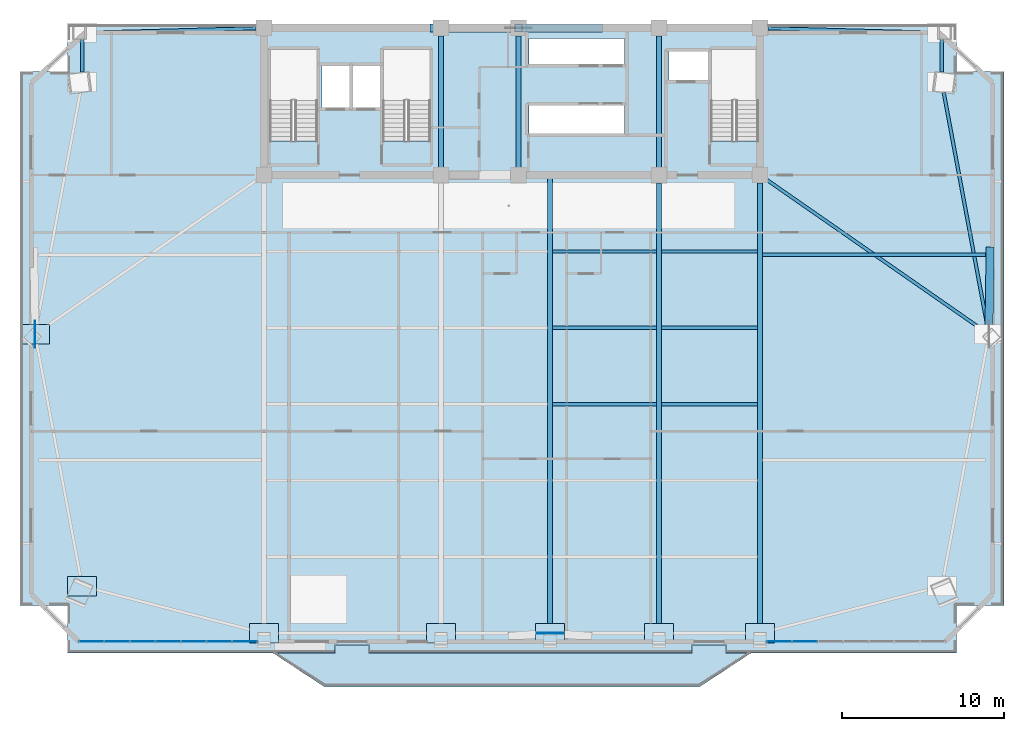
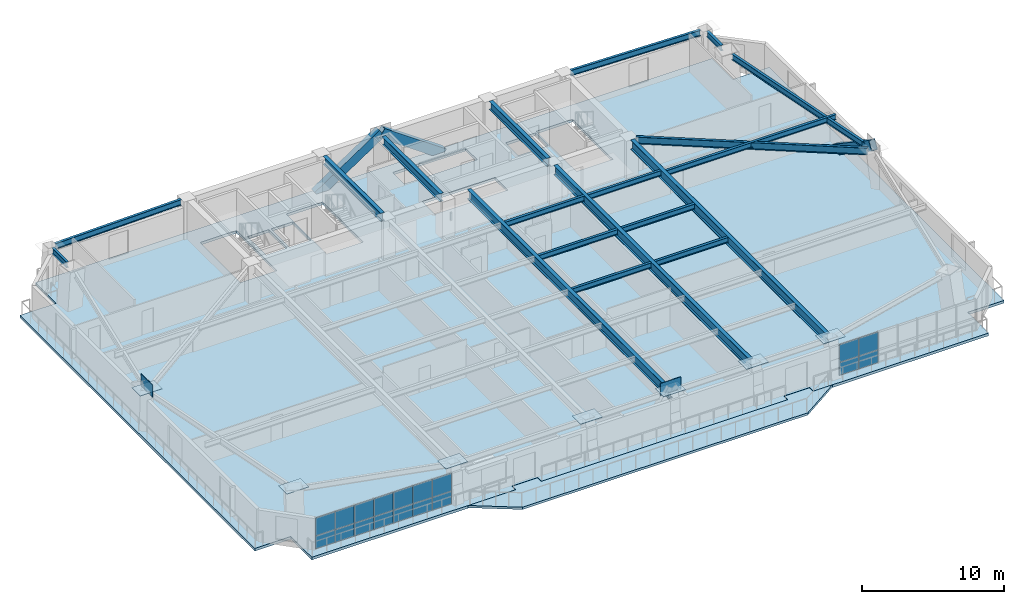
# One storey, part 6 of 15: 27 plates, 19 beams, 3 members, 2 slabs, 2 elements without a shape of their own.
"""IFC4 building model written with IfcOpenShell, lengths in metres."""

from ifc_helpers import new_model, si_unit, direction, frame, origin, origin_2d, place, context, subcontext, project, spatial, polyline, rectangle, hollow_rectangle, i_section, outline, extrude, source, transform, mapped, material, layer, layer_set, material_profile, profile_set, type_object, element, aggregate, save


model = new_model("IFC4")

# Units and contexts
model_context = context("Model", 3, precision=1e-05, world=origin(), true_north=direction((0.0, 1.0)))
body_context = subcontext(model_context, "Body", "Model", "MODEL_VIEW")
ifc_project = project(units=[si_unit("LENGTHUNIT", "METRE"), si_unit("AREAUNIT", "SQUARE_METRE"), si_unit("VOLUMEUNIT", "CUBIC_METRE"), si_unit("PLANEANGLEUNIT", "RADIAN"), si_unit("MASSUNIT", "GRAM", prefix="KILO")], contexts=[model_context])

# Site, building, storey
site_placement = place(None, origin())
site = spatial("IfcSite", under=ifc_project, at=site_placement, CompositionType="ELEMENT")
building_placement = place(site_placement, origin())
building = spatial("IfcBuilding", under=site, at=building_placement, Name="Giltprow Tower", CompositionType="ELEMENT")
storey_placement = place(building_placement, frame((0.0, 0.0, 156.199951171875)))
storey = spatial("IfcBuildingStorey", under=building, at=storey_placement, Name="L38", CompositionType="ELEMENT", Elevation=156.199951171875)

# Beams
ifc_material_1 = material(Name="Structural steel Q355B", Category="steel")
ifc_material_profile_1 = material_profile(ifc_material_1, i_section(OverallWidth=0.199951171875, OverallDepth=0.449951171875, WebThickness=0.009033203125, FlangeThickness=0.013916015625, at=origin_2d()), Name="HN 450x200x9x14")
ifc_profile_set_1 = profile_set([ifc_material_profile_1], Name="Structural steel Q355B")
beam_type_1 = type_object("IfcBeamType", Name="BM-JOIST-HN450", PredefinedType="JOIST", material=ifc_profile_set_1)
shared_shape_1 = source(origin(), body_context, "Body", "SweptSolid", [
    extrude(i_section(OverallWidth=0.199951171875, OverallDepth=0.449951171875, WebThickness=0.009033203125, FlangeThickness=0.013916015625, at=origin_2d()), origin(), (0.0, 0.0, 1.0), 6.4599609375),
])
for number, where, z_axis, x_axis, name in (
    (1, (37.695068359375, 23.27392578125, 3.045166015625), (1.0, 0.0, 0.0), (0.0, 1.0, 0.0), "L38 Composite Floor Joist 3-3"),
    (2, (37.695068359375, 27.9990234375, 3.045166015625), (1.0, 0.0, 0.0), (0.0, 1.0, 0.0), "L38 Composite Floor Joist 4-3"),
    (3, (37.695068359375, 32.72509765625, 3.045166015625), (1.0, 0.0, 0.0), (0.0, 1.0, 0.0), "L38 Composite Floor Joist 5-3"),
):
    element("IfcBeam", number, at=place(storey_placement, frame(where, z_axis=z_axis, x_axis=x_axis)), inside=storey, type_object=beam_type_1, Name=name, PredefinedType="JOIST", context=body_context, shape_type="MappedRepresentation", body=[
        mapped(shared_shape_1, transform((0.0, 0.0, 0.0), x_axis=(1.0, 0.0, 0.0), y_axis=(0.0, 1.0, 0.0), z_axis=(0.0, 0.0, 1.0), scale=1.0)),
    ])
shared_shape_2 = source(origin(), body_context, "Body", "SweptSolid", [
    extrude(i_section(OverallWidth=0.199951171875, OverallDepth=0.449951171875, WebThickness=0.009033203125, FlangeThickness=0.013916015625, at=origin_2d()), origin(), (0.0, 0.0, 1.0), 5.9599609375),
])
for number, where, z_axis, x_axis, name in (
    (4, (44.445068359375, 23.27392578125, 3.045166015625), (1.0, 0.0, 0.0), (0.0, 1.0, 0.0), "L38 Composite Floor Joist 3-4"),
    (5, (44.445068359375, 27.9990234375, 3.045166015625), (1.0, 0.0, 0.0), (0.0, 1.0, 0.0), "L38 Composite Floor Joist 4-4"),
    (6, (44.445068359375, 32.72509765625, 3.045166015625), (1.0, 0.0, 0.0), (0.0, 1.0, 0.0), "L38 Composite Floor Joist 5-4"),
):
    element("IfcBeam", number, at=place(storey_placement, frame(where, z_axis=z_axis, x_axis=x_axis)), inside=storey, type_object=beam_type_1, Name=name, PredefinedType="JOIST", context=body_context, shape_type="MappedRepresentation", body=[
        mapped(shared_shape_2, transform((0.0, 0.0, 0.0), x_axis=(1.0, 0.0, 0.0), y_axis=(0.0, 1.0, 0.0), z_axis=(0.0, 0.0, 1.0), scale=1.0)),
    ])
ifc_material_profile_2 = material_profile(ifc_material_1, i_section(OverallWidth=0.300048828125, OverallDepth=0.699951171875, WebThickness=0.012939453125, FlangeThickness=0.02392578125, at=origin_2d()), Name="HN 700x300x13x24")
ifc_profile_set_2 = profile_set([ifc_material_profile_2], Name="Structural steel Q355B")
beam_type_2 = type_object("IfcBeamType", Name="BM-GIRD-HN700", PredefinedType="BEAM", material=ifc_profile_set_2)
shared_shape_3 = source(origin(), body_context, "Body", "SweptSolid", [
    extrude(i_section(OverallWidth=0.300048828125, OverallDepth=0.699951171875, WebThickness=0.012939453125, FlangeThickness=0.02392578125, at=origin_2d()), origin(), (0.0, 0.0, 1.0), 8.1298828125),
])
for number, where, z_axis, x_axis, name in (
    (7, (30.800048828125, 37.93505859375, 2.920166015625), (0.0, 1.0, 0.0), (-1.0, 0.0, 0.0), "L38 Core Tie Girder M1"),
    (8, (35.60009765625, 37.93505859375, 2.920166015625), (0.0, 1.0, 0.0), (-1.0, 0.0, 0.0), "L38 Core Tie Girder M2"),
    (9, (44.300048828125, 37.93505859375, 2.920166015625), (0.0, 1.0, 0.0), (-1.0, 0.0, 0.0), "L38 Core Tie Girder M3"),
):
    element("IfcBeam", number, at=place(storey_placement, frame(where, z_axis=z_axis, x_axis=x_axis)), inside=storey, type_object=beam_type_2, Name=name, PredefinedType="BEAM", context=body_context, shape_type="MappedRepresentation", body=[
        mapped(shared_shape_3, transform((0.0, 0.0, 0.0), x_axis=(1.0, 0.0, 0.0), y_axis=(0.0, 1.0, 0.0), z_axis=(0.0, 0.0, 1.0), scale=1.0)),
    ])
ifc_material_profile_3 = material_profile(ifc_material_1, i_section(OverallWidth=0.199951171875, OverallDepth=0.5, WebThickness=0.010009765625, FlangeThickness=0.01611328125, at=origin_2d()), Name="HN 500x200x10x16")
ifc_profile_set_3 = profile_set([ifc_material_profile_3], Name="Structural steel Q355B")
beam_type_3 = type_object("IfcBeamType", Name="BM-SPAN-HN500", PredefinedType="SPANDREL", material=ifc_profile_set_3)
shared_shape_4 = source(origin(), body_context, "Body", "SweptSolid", [
    extrude(i_section(OverallWidth=0.199951171875, OverallDepth=0.5, WebThickness=0.010009765625, FlangeThickness=0.01611328125, at=origin_2d()), origin(), (0.0, 0.0, 1.0), 14.83837890625),
])
beam_1_placement = place(storey_placement, frame((64.64501953125, 27.97705078125, 3.02001953125), z_axis=(-0.183652712761, 0.982991190752, 0.0), x_axis=(-0.982991190752, -0.183652712761, 0.0)))
element("IfcBeam", 10, at=beam_1_placement, inside=storey, type_object=beam_type_3, Name="L38 Perimeter Spandrel Beam E_MID-MC_NE", PredefinedType="SPANDREL", context=body_context, shape_type="MappedRepresentation", body=[
    mapped(shared_shape_4, transform((0.0, 0.0, 0.0), x_axis=(1.0, 0.0, 0.0), y_axis=(0.0, 1.0, 0.0), z_axis=(0.0, 0.0, 1.0), scale=1.0)),
])
shared_shape_5 = source(origin(), body_context, "Body", "SweptSolid", [
    extrude(i_section(OverallWidth=0.199951171875, OverallDepth=0.5, WebThickness=0.010009765625, FlangeThickness=0.01611328125, at=origin_2d()), origin(), (0.0, 0.0, 1.0), 2.04296875),
])
for number, where, z_axis, x_axis, name in (
    (11, (61.802978515625, 43.822021484375, 3.02001953125), (0.0, 1.0, 0.0), (-1.0, 0.0, 0.0), "L38 Perimeter Spandrel Beam MC_NE-N_E"),
    (12, (8.596923828125, 45.864990234375, 3.02001953125), (0.0, -1.0, 0.0), (1.0, 0.0, 0.0), "L38 Perimeter Spandrel Beam N_W-MC_NW"),
):
    element("IfcBeam", number, at=place(storey_placement, frame(where, z_axis=z_axis, x_axis=x_axis)), inside=storey, type_object=beam_type_3, Name=name, PredefinedType="SPANDREL", context=body_context, shape_type="MappedRepresentation", body=[
        mapped(shared_shape_5, transform((0.0, 0.0, 0.0), x_axis=(1.0, 0.0, 0.0), y_axis=(0.0, 1.0, 0.0), z_axis=(0.0, 0.0, 1.0), scale=1.0)),
    ])
shared_shape_6 = source(origin(), body_context, "Body", "SweptSolid", [
    extrude(i_section(OverallWidth=0.199951171875, OverallDepth=0.5, WebThickness=0.010009765625, FlangeThickness=0.01611328125, at=origin_2d()), origin(), (0.0, 0.0, 1.0), 10.38671875),
])
for number, where, z_axis, x_axis, name in (
    (13, (8.98193359375, 46.260009765625, 3.02001953125), (0.999644074198, 0.02667817311, 0.0), (-0.02667817311, 0.999644074198, 0.0), "L38 North Wing Spandrel W"),
    (14, (51.034912109375, 46.537109375, 3.02001953125), (0.999644074198, -0.02667817311, 0.0), (0.02667817311, 0.999644074198, 0.0), "L38 North Wing Spandrel E"),
):
    element("IfcBeam", number, at=place(storey_placement, frame(where, z_axis=z_axis, x_axis=x_axis)), inside=storey, type_object=beam_type_3, Name=name, PredefinedType="SPANDREL", context=body_context, shape_type="MappedRepresentation", body=[
        mapped(shared_shape_6, transform((0.0, 0.0, 0.0), x_axis=(1.0, 0.0, 0.0), y_axis=(0.0, 1.0, 0.0), z_axis=(0.0, 0.0, 1.0), scale=1.0)),
    ])
ifc_material_profile_4 = material_profile(ifc_material_1, i_section(OverallWidth=0.300048828125, OverallDepth=0.800048828125, WebThickness=0.013916015625, FlangeThickness=0.02587890625, at=origin_2d()), Name="HN 800x300x14x26")
ifc_profile_set_4 = profile_set([ifc_material_profile_4], Name="Structural steel Q355B")
beam_type_4 = type_object("IfcBeamType", Name="BM-GIRD-HN800", PredefinedType="BEAM", material=ifc_profile_set_4)
shared_shape_7 = source(origin(), body_context, "Body", "SweptSolid", [
    extrude(i_section(OverallWidth=0.300048828125, OverallDepth=0.800048828125, WebThickness=0.013916015625, FlangeThickness=0.02587890625, at=origin_2d()), origin(), (0.0, 0.0, 1.0), 27.482177734375),
])
for number, where, z_axis, x_axis, name in (
    (15, (44.300048828125, 9.48291015625, 2.8701171875), (0.0, 1.0, 0.0), (-1.0, 0.0, 0.0), "L38 Primary Lease Girder S3"),
    (16, (50.550048828125, 9.48291015625, 2.8701171875), (0.0, 1.0, 0.0), (-1.0, 0.0, 0.0), "L38 Primary Lease Girder S4"),
):
    element("IfcBeam", number, at=place(storey_placement, frame(where, z_axis=z_axis, x_axis=x_axis)), inside=storey, type_object=beam_type_4, Name=name, PredefinedType="BEAM", context=body_context, shape_type="MappedRepresentation", body=[
        mapped(shared_shape_7, transform((0.0, 0.0, 0.0), x_axis=(1.0, 0.0, 0.0), y_axis=(0.0, 1.0, 0.0), z_axis=(0.0, 0.0, 1.0), scale=1.0)),
    ])
shared_shape_8 = source(origin(), body_context, "Body", "SweptSolid", [
    extrude(i_section(OverallWidth=0.300048828125, OverallDepth=0.800048828125, WebThickness=0.013916015625, FlangeThickness=0.02587890625, at=origin_2d()), origin(), (0.0, 0.0, 1.0), 28.35205078125),
])
beam_2_placement = place(storey_placement, frame((37.550048828125, 9.097900390625, 2.8701171875), z_axis=(0.0, 1.0, 0.0), x_axis=(-1.0, 0.0, 0.0)))
element("IfcBeam", 17, at=beam_2_placement, inside=storey, type_object=beam_type_4, Name="L38 Central Lease Girder SMID", PredefinedType="BEAM", context=body_context, shape_type="MappedRepresentation", body=[
    mapped(shared_shape_8, transform((0.0, 0.0, 0.0), x_axis=(1.0, 0.0, 0.0), y_axis=(0.0, 1.0, 0.0), z_axis=(0.0, 0.0, 1.0), scale=1.0)),
])
ifc_material_profile_5 = material_profile(ifc_material_1, i_section(OverallWidth=0.199951171875, OverallDepth=0.60009765625, WebThickness=0.010986328125, FlangeThickness=0.01708984375, at=origin_2d()), Name="HN 600x200x11x17")
ifc_profile_set_5 = profile_set([ifc_material_profile_5], Name="Structural steel Q355B")
beam_type_5 = type_object("IfcBeamType", Name="BM-GIRD-HN600", PredefinedType="BEAM", material=ifc_profile_set_5)
shared_shape_9 = source(origin(), body_context, "Body", "SweptSolid", [
    extrude(i_section(OverallWidth=0.199951171875, OverallDepth=0.60009765625, WebThickness=0.010986328125, FlangeThickness=0.01708984375, at=origin_2d()), origin(), (0.0, 0.0, 1.0), 16.384521484375),
])
beam_3_placement = place(storey_placement, frame((64.39990234375, 27.819091796875, 2.969970703125), z_axis=(-0.821015129257, 0.570906435005, 0.0), x_axis=(-0.570906435005, -0.821015129257, 0.0)))
element("IfcBeam", 18, at=beam_3_placement, inside=storey, type_object=beam_type_5, Name="L38 East Wing Primary Girder", PredefinedType="BEAM", context=body_context, shape_type="MappedRepresentation", body=[
    mapped(shared_shape_9, transform((0.0, 0.0, 0.0), x_axis=(1.0, 0.0, 0.0), y_axis=(0.0, 1.0, 0.0), z_axis=(0.0, 0.0, 1.0), scale=1.0)),
])
shared_shape_10 = source(origin(), body_context, "Body", "SweptSolid", [
    extrude(i_section(OverallWidth=0.199951171875, OverallDepth=0.449951171875, WebThickness=0.009033203125, FlangeThickness=0.013916015625, at=origin_2d()), origin(), (0.0, 0.0, 1.0), 13.801025390625),
])
beam_4_placement = place(storey_placement, frame((50.695068359375, 32.52490234375, 3.045166015625), z_axis=(1.0, 0.0, 0.0), x_axis=(0.0, 1.0, 0.0)))
element("IfcBeam", 19, at=beam_4_placement, inside=storey, type_object=beam_type_1, Name="L38 East Wing Floor Joist 2", PredefinedType="JOIST", context=body_context, shape_type="MappedRepresentation", body=[
    mapped(shared_shape_10, transform((0.0, 0.0, 0.0), x_axis=(1.0, 0.0, 0.0), y_axis=(0.0, 1.0, 0.0), z_axis=(0.0, 0.0, 1.0), scale=1.0)),
])

# Members
ifc_material_2 = material(Name="Structural steel Q420GJC", Category="steel")
ifc_material_profile_6 = material_profile(ifc_material_2, hollow_rectangle(XDim=0.5, YDim=0.800048828125, WallThickness=0.035888671875, at=origin_2d()), Name="RHS 800x500x36")
ifc_profile_set_6 = profile_set([ifc_material_profile_6], Name="Structural steel Q420GJC")
member_type = type_object("IfcMemberType", Name="MBR-MEGA-RHS800", PredefinedType="BRACE", material=ifc_profile_set_6)
shared_shape_11 = source(origin(), body_context, "Body", "SweptSolid", [
    extrude(hollow_rectangle(XDim=0.5, YDim=0.800048828125, WallThickness=0.035888671875, at=origin_2d()), origin(), (0.0, 0.0, 1.0), 6.309814453125),
])
member_1_placement = place(storey_placement, frame((30.35009765625, 46.550048828125, -0.139892578125), z_axis=(0.832050294338, 0.0, 0.554700196225), x_axis=(0.0, 1.0, 0.0)))
element("IfcMember", 20, at=member_1_placement, inside=storey, type_object=member_type, Name="L38 Chevron Mega-Brace N-L", PredefinedType="BRACE", context=body_context, shape_type="MappedRepresentation", body=[
    mapped(shared_shape_11, transform((0.0, 0.0, 0.0), x_axis=(1.0, 0.0, 0.0), y_axis=(0.0, 1.0, 0.0), z_axis=(0.0, 0.0, 1.0), scale=1.0)),
])
shared_shape_12 = source(origin(), body_context, "Body", "SweptSolid", [
    extrude(hollow_rectangle(XDim=0.5, YDim=0.800048828125, WallThickness=0.035888671875, at=origin_2d()), origin(), (0.0, 0.0, 1.0), 6.257568359375),
])
member_2_placement = place(storey_placement, frame((64.7939453125, 32.785888671875, 0.0), z_axis=(-0.012445634065, -0.828863622943, 0.559312256932), x_axis=(0.999887289476, -0.015013605335, 0.0)))
element("IfcMember", 21, at=member_2_placement, inside=storey, type_object=member_type, Name="L38 Chevron Mega-Brace E-R", PredefinedType="BRACE", context=body_context, shape_type="MappedRepresentation", body=[
    mapped(shared_shape_12, transform((0.0, 0.0, 0.0), x_axis=(1.0, 0.0, 0.0), y_axis=(0.0, 1.0, 0.0), z_axis=(0.0, 0.0, 1.0), scale=1.0)),
])
shared_shape_13 = source(origin(), body_context, "Body", "SweptSolid", [
    extrude(hollow_rectangle(XDim=0.5, YDim=0.800048828125, WallThickness=0.035888671875, at=origin_2d()), origin(), (0.0, 0.0, 1.0), 6.08935546875),
])
member_3_placement = place(storey_placement, frame((40.5830078125, 46.550048828125, -0.139892578125), z_axis=(-0.818307902219, 0.0, 0.574780112014), x_axis=(0.0, -1.0, 0.0)))
element("IfcMember", 22, at=member_3_placement, inside=storey, type_object=member_type, Name="L38 Chevron Mega-Brace N-R", PredefinedType="BRACE", context=body_context, shape_type="MappedRepresentation", body=[
    mapped(shared_shape_13, transform((0.0, 0.0, 0.0), x_axis=(1.0, 0.0, 0.0), y_axis=(0.0, 1.0, 0.0), z_axis=(0.0, 0.0, 1.0), scale=1.0)),
])

# Slabs
ifc_material_3 = material(Name="Concrete C40", Category="concrete")
ifc_layer_1 = layer(ifc_material_3, 0.199951171875, Name="Concrete C40")
ifc_layer_set_1 = layer_set([ifc_layer_1], Name="Concrete C40")
slab_type_1 = type_object("IfcSlabType", Name="SLB-BALC-BRONZE-200", PredefinedType="FLOOR", material=ifc_layer_set_1)
slab_1_placement = place(storey_placement, frame((0.0, 0.0, -0.199951171875)))
element("IfcSlab", 23, at=slab_1_placement, inside=storey, type_object=slab_type_1, Name="L38 Bronze Prow Waterfront Balcony Slab", PredefinedType="FLOOR", context=body_context, shape_type="SweptSolid", body=[
    extrude(outline(polyline([(50.0, 7.8720703125), (46.800048828125, 5.77197265625), (23.60009765625, 5.77197265625), (20.39990234375, 7.8720703125), (24.280029296875, 7.8720703125), (24.280029296875, 8.3720703125), (26.320068359375, 8.3720703125), (26.320068359375, 7.8720703125), (46.3798828125, 7.8720703125), (46.3798828125, 8.3720703125), (48.419921875, 8.3720703125), (48.419921875, 7.8720703125), (50.0, 7.8720703125)])), origin(), (0.0, 0.0, 1.0), 0.199951171875),
])
ifc_layer_2 = layer(ifc_material_3, 0.22998046875, Name="Concrete C40")
ifc_layer_set_2 = layer_set([ifc_layer_2], Name="Concrete C40")
slab_type_2 = type_object("IfcSlabType", Name="SLB-HTL-230", PredefinedType="FLOOR", material=ifc_layer_set_2)
slab_2_placement = place(storey_placement, frame((0.0, 0.0, -0.22998046875)))
element("IfcSlab", 24, at=slab_2_placement, inside=storey, type_object=slab_type_2, Name="L38 Structural Composite Floor Slab", PredefinedType="FLOOR", context=body_context, shape_type="SweptSolid", body=[
    extrude(outline(polyline([(7.68798828125, 7.8720703125), (7.68798828125, 10.81103515625), (4.7490234375, 10.81103515625), (4.7490234375, 43.861083984375), (7.68798828125, 43.861083984375), (7.68798828125, 46.800048828125), (62.7119140625, 46.800048828125), (62.7119140625, 43.861083984375), (65.65087890625, 43.861083984375), (65.65087890625, 10.81103515625), (62.7119140625, 10.81103515625), (62.7119140625, 7.8720703125), (48.449951171875, 7.8720703125), (48.449951171875, 8.39208984375), (46.35009765625, 8.39208984375), (46.35009765625, 7.8720703125), (26.35009765625, 7.8720703125), (26.35009765625, 8.39208984375), (24.25, 8.39208984375), (24.25, 7.8720703125), (7.68798828125, 7.8720703125)]), holes=[polyline([(42.169921875, 41.800048828125), (36.239990234375, 41.800048828125), (36.239990234375, 40.0), (42.169921875, 40.0), (42.169921875, 41.800048828125)]), polyline([(23.159912109375, 39.570068359375), (23.159912109375, 45.25), (20.199951171875, 45.25), (20.199951171875, 39.570068359375), (23.159912109375, 39.570068359375)]), polyline([(30.159912109375, 39.570068359375), (30.159912109375, 45.25), (27.199951171875, 45.25), (27.199951171875, 39.570068359375), (30.159912109375, 39.570068359375)]), polyline([(50.4599609375, 45.25), (47.5, 45.25), (47.5, 39.570068359375), (50.4599609375, 39.570068359375), (50.4599609375, 45.25)]), polyline([(25.169921875, 44.199951171875), (23.449951171875, 44.199951171875), (23.449951171875, 41.60009765625), (25.169921875, 41.60009765625), (25.169921875, 44.199951171875)]), polyline([(27.10009765625, 44.199951171875), (25.35009765625, 44.199951171875), (25.35009765625, 41.60009765625), (27.10009765625, 41.60009765625), (27.10009765625, 44.199951171875)]), polyline([(47.3798828125, 43.300048828125), (47.3798828125, 45.10009765625), (44.919921875, 45.10009765625), (44.919921875, 43.300048828125), (47.3798828125, 43.300048828125)]), polyline([(42.169921875, 44.300048828125), (42.169921875, 45.919921875), (36.239990234375, 45.919921875), (36.239990234375, 44.300048828125), (42.169921875, 44.300048828125)])]), origin(), (0.0, 0.0, 1.0), 0.22998046875),
])

# Plates
plate_type_1 = type_object("IfcPlateType", Name="PLT-NODE-CKN1", PredefinedType="USERDEFINED", material=ifc_material_2)
shared_shape_14 = source(origin(), body_context, "Body", "SweptSolid", [
    extrude(rectangle(XDim=1.800048828125, YDim=1.199951171875, at=origin_2d()), origin(), (0.0, 0.0, 1.0), 0.044921875),
])
for number, where, z_axis, x_axis, name in (
    (25, (8.596923828125, 12.010986328125, 3.2275390625), (0.0, 0.0, 1.0), (1.0, 0.0, 0.0), "CKN1 Column Taper Splice Node L38-MC_SW"),
    (26, (19.85009765625, 9.097900390625, 3.2275390625), (0.0, 0.0, 1.0), (1.0, 0.0, 0.0), "CKN1 Column Taper Splice Node L38-S1"),
    (27, (30.800048828125, 9.097900390625, 3.2275390625), (0.0, 0.0, 1.0), (1.0, 0.0, 0.0), "CKN1 Column Taper Splice Node L38-S2"),
    (28, (37.550048828125, 9.097900390625, 3.2275390625), (0.0, 0.0, 1.0), (1.0, 0.0, 0.0), "CKN1 Column Taper Splice Node L38-S_MID"),
    (29, (44.300048828125, 9.097900390625, 3.2275390625), (0.0, 0.0, 1.0), (1.0, 0.0, 0.0), "CKN1 Column Taper Splice Node L38-S3"),
    (30, (50.550048828125, 9.097900390625, 3.2275390625), (0.0, 0.0, 1.0), (1.0, 0.0, 0.0), "CKN1 Column Taper Splice Node L38-S4"),
    (31, (5.68408203125, 27.59912109375, 3.2275390625), (0.0, 0.0, 1.0), (1.0, 0.0, 0.0), "CKN1 Column Taper Splice Node L38-W_MID"),
):
    element("IfcPlate", number, at=place(storey_placement, frame(where, z_axis=z_axis, x_axis=x_axis)), inside=storey, type_object=plate_type_1, Name=name, ObjectType="SPLICE", PredefinedType="USERDEFINED", context=body_context, shape_type="MappedRepresentation", body=[
        mapped(shared_shape_14, transform((0.0, 0.0, 0.0), x_axis=(1.0, 0.0, 0.0), y_axis=(0.0, 1.0, 0.0), z_axis=(0.0, 0.0, 1.0), scale=1.0)),
    ])
plate_type_2 = type_object("IfcPlateType", Name="PLT-NODE-MBN2", PredefinedType="USERDEFINED", material=ifc_material_2)
shared_shape_15 = source(origin(), body_context, "Body", "SweptSolid", [
    extrude(rectangle(XDim=1.64990234375, YDim=0.044921875, at=origin_2d()), origin(), (0.0, 0.0, 1.0), 1.050048828125),
])
for number, where, z_axis, x_axis, name in (
    (32, (37.550048828125, 9.097900390625, 2.97509765625), (0.0, 0.0, 1.0), (1.0, 0.0, 0.0), "Mega-Brace Node L38-S-LB"),
    (33, (5.68408203125, 27.59912109375, 2.97509765625), (0.0, 0.0, 1.0), (0.0, 1.0, 0.0), "Mega-Brace Node L38-W-RB"),
):
    element("IfcPlate", number, at=place(storey_placement, frame(where, z_axis=z_axis, x_axis=x_axis)), inside=storey, type_object=plate_type_2, Name=name, ObjectType="GUSSET", PredefinedType="USERDEFINED", context=body_context, shape_type="MappedRepresentation", body=[
        mapped(shared_shape_15, transform((0.0, 0.0, 0.0), x_axis=(1.0, 0.0, 0.0), y_axis=(0.0, 1.0, 0.0), z_axis=(0.0, 0.0, 1.0), scale=1.0)),
    ])

# Curtain wall, plates
ifc_material_4 = material(Name="Anodized bronze", Category="metal")
ifc_layer_3 = layer(ifc_material_4, 0.179931640625, Name="Anodized bronze")
ifc_layer_set_3 = layer_set([ifc_layer_3], Name="Anodized bronze")
curtain_wall_type = type_object("IfcCurtainWallType", Name="CW-HTL-BRONZE", PredefinedType="NOTDEFINED", material=ifc_layer_set_3)
curtain_wall_1_placement = place(storey_placement, origin())
curtain_wall_1 = element("IfcCurtainWall", 34, at=curtain_wall_1_placement, inside=storey, type_object=curtain_wall_type, Name="L38 South Recessed Curtain Wall 1", PredefinedType="NOTDEFINED")
ifc_material_5 = material(Name="Insulated glass", Category="glass")
plate_type_3 = type_object("IfcPlateType", Name="CW-PANEL-IGU-28", PredefinedType="CURTAIN_PANEL", material=ifc_material_5)
shared_shape_16 = source(origin(), body_context, "Body", "SweptSolid", [
    extrude(rectangle(XDim=1.550048828125, YDim=0.028076171875, at=origin_2d()), origin(), (0.0, 0.0, 1.0), 1.0869140625),
])
plate_1_placement = place(storey_placement, frame((9.177978515625, 8.572021484375, 0.0546875), z_axis=(0.0, 0.0, 1.0), x_axis=(1.0, 0.0, 0.0)))
plate_1 = element("IfcPlate", 35, at=plate_1_placement, type_object=plate_type_3, Name="L38 South Recessed Curtain Wall 1 Glazing Panel 1-1", PredefinedType="CURTAIN_PANEL", context=body_context, shape_type="MappedRepresentation", body=[
    mapped(shared_shape_16, transform((0.0, 0.0, 0.0), x_axis=(1.0, 0.0, 0.0), y_axis=(0.0, 1.0, 0.0), z_axis=(0.0, 0.0, 1.0), scale=1.0)),
])
plate_2_placement = place(storey_placement, frame((10.758056640625, 8.572021484375, 0.0546875), z_axis=(0.0, 0.0, 1.0), x_axis=(1.0, 0.0, 0.0)))
plate_2 = element("IfcPlate", 36, at=plate_2_placement, type_object=plate_type_3, Name="L38 South Recessed Curtain Wall 1 Glazing Panel 2-1", PredefinedType="CURTAIN_PANEL", context=body_context, shape_type="MappedRepresentation", body=[
    mapped(shared_shape_16, transform((0.0, 0.0, 0.0), x_axis=(1.0, 0.0, 0.0), y_axis=(0.0, 1.0, 0.0), z_axis=(0.0, 0.0, 1.0), scale=1.0)),
])
plate_3_placement = place(storey_placement, frame((12.339111328125, 8.572021484375, 0.0546875), z_axis=(0.0, 0.0, 1.0), x_axis=(1.0, 0.0, 0.0)))
plate_3 = element("IfcPlate", 37, at=plate_3_placement, type_object=plate_type_3, Name="L38 South Recessed Curtain Wall 1 Glazing Panel 3-1", PredefinedType="CURTAIN_PANEL", context=body_context, shape_type="MappedRepresentation", body=[
    mapped(shared_shape_16, transform((0.0, 0.0, 0.0), x_axis=(1.0, 0.0, 0.0), y_axis=(0.0, 1.0, 0.0), z_axis=(0.0, 0.0, 1.0), scale=1.0)),
])
plate_4_placement = place(storey_placement, frame((13.9189453125, 8.572021484375, 0.0546875), z_axis=(0.0, 0.0, 1.0), x_axis=(1.0, 0.0, 0.0)))
plate_4 = element("IfcPlate", 38, at=plate_4_placement, type_object=plate_type_3, Name="L38 South Recessed Curtain Wall 1 Glazing Panel 4-1", PredefinedType="CURTAIN_PANEL", context=body_context, shape_type="MappedRepresentation", body=[
    mapped(shared_shape_16, transform((0.0, 0.0, 0.0), x_axis=(1.0, 0.0, 0.0), y_axis=(0.0, 1.0, 0.0), z_axis=(0.0, 0.0, 1.0), scale=1.0)),
])
plate_5_placement = place(storey_placement, frame((15.4990234375, 8.572021484375, 0.0546875), z_axis=(0.0, 0.0, 1.0), x_axis=(1.0, 0.0, 0.0)))
plate_5 = element("IfcPlate", 39, at=plate_5_placement, type_object=plate_type_3, Name="L38 South Recessed Curtain Wall 1 Glazing Panel 5-1", PredefinedType="CURTAIN_PANEL", context=body_context, shape_type="MappedRepresentation", body=[
    mapped(shared_shape_16, transform((0.0, 0.0, 0.0), x_axis=(1.0, 0.0, 0.0), y_axis=(0.0, 1.0, 0.0), z_axis=(0.0, 0.0, 1.0), scale=1.0)),
])
plate_6_placement = place(storey_placement, frame((17.080078125, 8.572021484375, 0.0546875), z_axis=(0.0, 0.0, 1.0), x_axis=(1.0, 0.0, 0.0)))
plate_6 = element("IfcPlate", 40, at=plate_6_placement, type_object=plate_type_3, Name="L38 South Recessed Curtain Wall 1 Glazing Panel 6-1", PredefinedType="CURTAIN_PANEL", context=body_context, shape_type="MappedRepresentation", body=[
    mapped(shared_shape_16, transform((0.0, 0.0, 0.0), x_axis=(1.0, 0.0, 0.0), y_axis=(0.0, 1.0, 0.0), z_axis=(0.0, 0.0, 1.0), scale=1.0)),
])
plate_7_placement = place(storey_placement, frame((18.659912109375, 8.572021484375, 0.0546875), z_axis=(0.0, 0.0, 1.0), x_axis=(1.0, 0.0, 0.0)))
plate_7 = element("IfcPlate", 41, at=plate_7_placement, type_object=plate_type_3, Name="L38 South Recessed Curtain Wall 1 Glazing Panel 7-1", PredefinedType="CURTAIN_PANEL", context=body_context, shape_type="MappedRepresentation", body=[
    mapped(shared_shape_16, transform((0.0, 0.0, 0.0), x_axis=(1.0, 0.0, 0.0), y_axis=(0.0, 1.0, 0.0), z_axis=(0.0, 0.0, 1.0), scale=1.0)),
])

curtain_wall_2_placement = place(storey_placement, origin())
curtain_wall_2 = element("IfcCurtainWall", 42, at=curtain_wall_2_placement, inside=storey, type_object=curtain_wall_type, Name="L38 South Recessed Curtain Wall 6", PredefinedType="NOTDEFINED")
plate_8_placement = place(storey_placement, frame((51.739990234375, 8.572021484375, 0.0546875), z_axis=(0.0, 0.0, 1.0), x_axis=(1.0, 0.0, 0.0)))
plate_8 = element("IfcPlate", 43, at=plate_8_placement, type_object=plate_type_3, Name="L38 South Recessed Curtain Wall 6 Glazing Panel 1-1", PredefinedType="CURTAIN_PANEL", context=body_context, shape_type="MappedRepresentation", body=[
    mapped(shared_shape_16, transform((0.0, 0.0, 0.0), x_axis=(1.0, 0.0, 0.0), y_axis=(0.0, 1.0, 0.0), z_axis=(0.0, 0.0, 1.0), scale=1.0)),
])
plate_9_placement = place(storey_placement, frame((53.320068359375, 8.572021484375, 0.0546875), z_axis=(0.0, 0.0, 1.0), x_axis=(1.0, 0.0, 0.0)))
plate_9 = element("IfcPlate", 44, at=plate_9_placement, type_object=plate_type_3, Name="L38 South Recessed Curtain Wall 6 Glazing Panel 2-1", PredefinedType="CURTAIN_PANEL", context=body_context, shape_type="MappedRepresentation", body=[
    mapped(shared_shape_16, transform((0.0, 0.0, 0.0), x_axis=(1.0, 0.0, 0.0), y_axis=(0.0, 1.0, 0.0), z_axis=(0.0, 0.0, 1.0), scale=1.0)),
])

# Plate
shared_shape_17 = source(origin(), body_context, "Body", "SweptSolid", [
    extrude(rectangle(XDim=1.550048828125, YDim=0.028076171875, at=origin_2d()), origin(), (0.0, 0.0, 1.0), 1.527099609375),
])
plate_10_placement = place(storey_placement, frame((9.177978515625, 8.572021484375, 1.16845703125), z_axis=(0.0, 0.0, 1.0), x_axis=(1.0, 0.0, 0.0)))
plate_10 = element("IfcPlate", 45, at=plate_10_placement, type_object=plate_type_3, Name="L38 South Recessed Curtain Wall 1 Glazing Panel 1-2", PredefinedType="CURTAIN_PANEL", context=body_context, shape_type="MappedRepresentation", body=[
    mapped(shared_shape_17, transform((0.0, 0.0, 0.0), x_axis=(1.0, 0.0, 0.0), y_axis=(0.0, 1.0, 0.0), z_axis=(0.0, 0.0, 1.0), scale=1.0)),
])

plate_11_placement = place(storey_placement, frame((10.758056640625, 8.572021484375, 1.16845703125), z_axis=(0.0, 0.0, 1.0), x_axis=(1.0, 0.0, 0.0)))
plate_11 = element("IfcPlate", 46, at=plate_11_placement, type_object=plate_type_3, Name="L38 South Recessed Curtain Wall 1 Glazing Panel 2-2", PredefinedType="CURTAIN_PANEL", context=body_context, shape_type="MappedRepresentation", body=[
    mapped(shared_shape_17, transform((0.0, 0.0, 0.0), x_axis=(1.0, 0.0, 0.0), y_axis=(0.0, 1.0, 0.0), z_axis=(0.0, 0.0, 1.0), scale=1.0)),
])

plate_12_placement = place(storey_placement, frame((12.339111328125, 8.572021484375, 1.16845703125), z_axis=(0.0, 0.0, 1.0), x_axis=(1.0, 0.0, 0.0)))
plate_12 = element("IfcPlate", 47, at=plate_12_placement, type_object=plate_type_3, Name="L38 South Recessed Curtain Wall 1 Glazing Panel 3-2", PredefinedType="CURTAIN_PANEL", context=body_context, shape_type="MappedRepresentation", body=[
    mapped(shared_shape_17, transform((0.0, 0.0, 0.0), x_axis=(1.0, 0.0, 0.0), y_axis=(0.0, 1.0, 0.0), z_axis=(0.0, 0.0, 1.0), scale=1.0)),
])

plate_13_placement = place(storey_placement, frame((13.9189453125, 8.572021484375, 1.16845703125), z_axis=(0.0, 0.0, 1.0), x_axis=(1.0, 0.0, 0.0)))
plate_13 = element("IfcPlate", 48, at=plate_13_placement, type_object=plate_type_3, Name="L38 South Recessed Curtain Wall 1 Glazing Panel 4-2", PredefinedType="CURTAIN_PANEL", context=body_context, shape_type="MappedRepresentation", body=[
    mapped(shared_shape_17, transform((0.0, 0.0, 0.0), x_axis=(1.0, 0.0, 0.0), y_axis=(0.0, 1.0, 0.0), z_axis=(0.0, 0.0, 1.0), scale=1.0)),
])

plate_14_placement = place(storey_placement, frame((15.4990234375, 8.572021484375, 1.16845703125), z_axis=(0.0, 0.0, 1.0), x_axis=(1.0, 0.0, 0.0)))
plate_14 = element("IfcPlate", 49, at=plate_14_placement, type_object=plate_type_3, Name="L38 South Recessed Curtain Wall 1 Glazing Panel 5-2", PredefinedType="CURTAIN_PANEL", context=body_context, shape_type="MappedRepresentation", body=[
    mapped(shared_shape_17, transform((0.0, 0.0, 0.0), x_axis=(1.0, 0.0, 0.0), y_axis=(0.0, 1.0, 0.0), z_axis=(0.0, 0.0, 1.0), scale=1.0)),
])

plate_15_placement = place(storey_placement, frame((17.080078125, 8.572021484375, 1.16845703125), z_axis=(0.0, 0.0, 1.0), x_axis=(1.0, 0.0, 0.0)))
plate_15 = element("IfcPlate", 50, at=plate_15_placement, type_object=plate_type_3, Name="L38 South Recessed Curtain Wall 1 Glazing Panel 6-2", PredefinedType="CURTAIN_PANEL", context=body_context, shape_type="MappedRepresentation", body=[
    mapped(shared_shape_17, transform((0.0, 0.0, 0.0), x_axis=(1.0, 0.0, 0.0), y_axis=(0.0, 1.0, 0.0), z_axis=(0.0, 0.0, 1.0), scale=1.0)),
])

plate_16_placement = place(storey_placement, frame((18.659912109375, 8.572021484375, 1.16845703125), z_axis=(0.0, 0.0, 1.0), x_axis=(1.0, 0.0, 0.0)))
plate_16 = element("IfcPlate", 51, at=plate_16_placement, type_object=plate_type_3, Name="L38 South Recessed Curtain Wall 1 Glazing Panel 7-2", PredefinedType="CURTAIN_PANEL", context=body_context, shape_type="MappedRepresentation", body=[
    mapped(shared_shape_17, transform((0.0, 0.0, 0.0), x_axis=(1.0, 0.0, 0.0), y_axis=(0.0, 1.0, 0.0), z_axis=(0.0, 0.0, 1.0), scale=1.0)),
])

aggregate(curtain_wall_1, [plate_1, plate_10, plate_2, plate_11, plate_3, plate_12, plate_4, plate_13, plate_5, plate_14, plate_6, plate_15, plate_7, plate_16])

plate_17_placement = place(storey_placement, frame((51.739990234375, 8.572021484375, 1.16845703125), z_axis=(0.0, 0.0, 1.0), x_axis=(1.0, 0.0, 0.0)))
plate_17 = element("IfcPlate", 52, at=plate_17_placement, type_object=plate_type_3, Name="L38 South Recessed Curtain Wall 6 Glazing Panel 1-2", PredefinedType="CURTAIN_PANEL", context=body_context, shape_type="MappedRepresentation", body=[
    mapped(shared_shape_17, transform((0.0, 0.0, 0.0), x_axis=(1.0, 0.0, 0.0), y_axis=(0.0, 1.0, 0.0), z_axis=(0.0, 0.0, 1.0), scale=1.0)),
])

plate_18_placement = place(storey_placement, frame((53.320068359375, 8.572021484375, 1.16845703125), z_axis=(0.0, 0.0, 1.0), x_axis=(1.0, 0.0, 0.0)))
plate_18 = element("IfcPlate", 53, at=plate_18_placement, type_object=plate_type_3, Name="L38 South Recessed Curtain Wall 6 Glazing Panel 2-2", PredefinedType="CURTAIN_PANEL", context=body_context, shape_type="MappedRepresentation", body=[
    mapped(shared_shape_17, transform((0.0, 0.0, 0.0), x_axis=(1.0, 0.0, 0.0), y_axis=(0.0, 1.0, 0.0), z_axis=(0.0, 0.0, 1.0), scale=1.0)),
])

aggregate(curtain_wall_2, [plate_8, plate_17, plate_9, plate_18])

save(model, "model.ifc")
